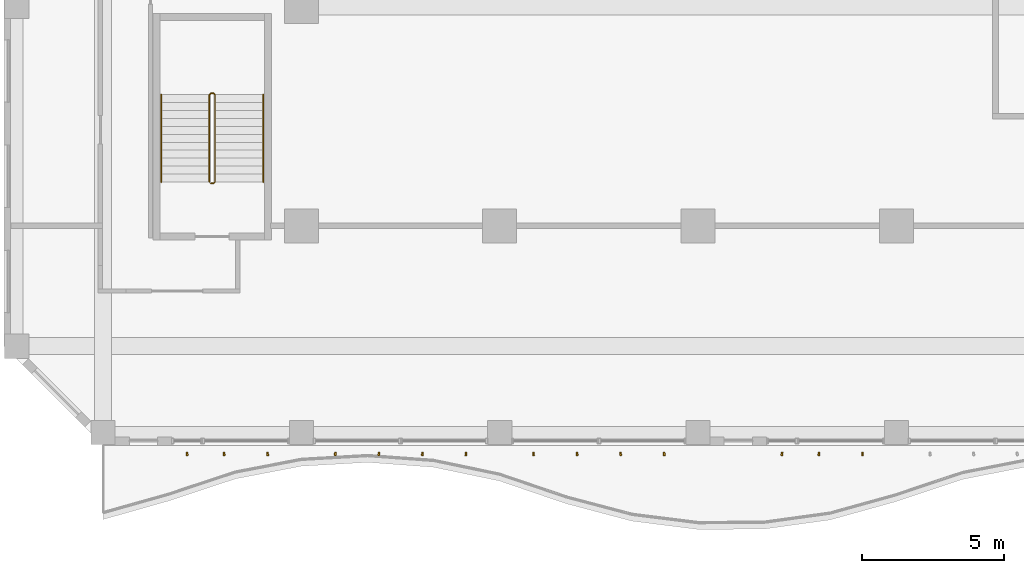
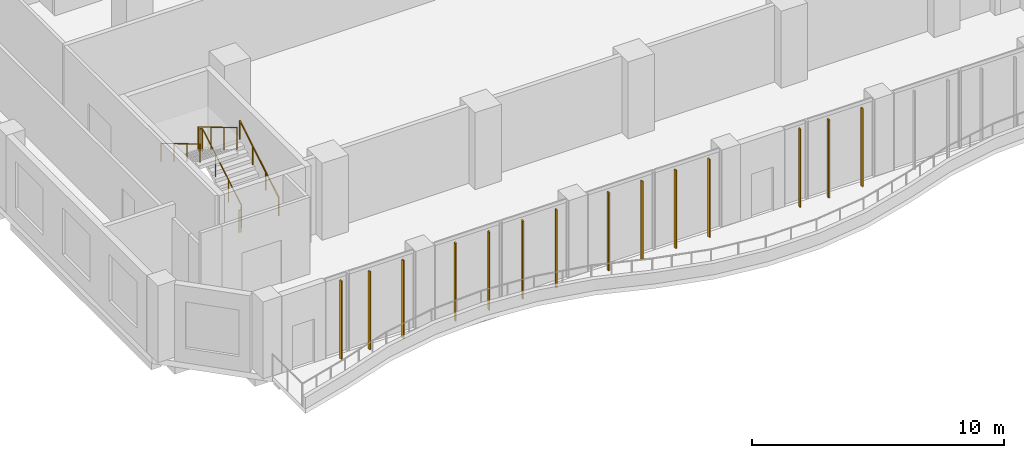
# One storey, part 20 of 27: 14 shading devices, 3 railings.
"""IFC4 building model written with IfcOpenShell, lengths in metres."""

from ifc_helpers import new_model, si_unit, direction, frame, origin, origin_2d, place, context, subcontext, project, spatial, rectangle, circle, extrude, source, transform, mapped, material, material_profile, profile_set, type_object, element, save


model = new_model("IFC4")

# Units and contexts
model_context = context("Model", 3, precision=1e-05, world=origin(), true_north=direction((0.0, 1.0)))
body_context = subcontext(model_context, "Body", "Model", "MODEL_VIEW")
ifc_project = project(units=[si_unit("LENGTHUNIT", "METRE"), si_unit("AREAUNIT", "SQUARE_METRE"), si_unit("VOLUMEUNIT", "CUBIC_METRE"), si_unit("PLANEANGLEUNIT", "RADIAN"), si_unit("MASSUNIT", "GRAM", prefix="KILO")], contexts=[model_context])

# Site, building, storey
site_placement = place(None, origin())
site = spatial("IfcSite", under=ifc_project, at=site_placement, CompositionType="ELEMENT")
building_placement = place(site_placement, origin())
building = spatial("IfcBuilding", under=site, at=building_placement, Name="Kilnfold Tower and Market Hall", CompositionType="ELEMENT")
storey_placement = place(building_placement, frame((0.0, 0.0, 116.60009765625)))
storey = spatial("IfcBuildingStorey", under=building, at=storey_placement, Name="L27", CompositionType="ELEMENT", Elevation=116.60009765625)

# Railings
ifc_material_1 = material(Name="Stainless steel 316", Category="steel")
railing_type_1 = type_object("IfcRailingType", Name="CORE STAIR GUARD 1100", PredefinedType="GUARDRAIL", material=ifc_material_1)
railing_1_placement = place(storey_placement, frame((-15.699951171875, -13.75, 0.0)))
element("IfcRailing", 1, at=railing_1_placement, inside=storey, type_object=railing_type_1, Name="L27 ST3 stair guard 1", PredefinedType="GUARDRAIL", context=body_context, shape_type="SweptSolid", body=[
    extrude(circle(Radius=0.02392578125, at=origin_2d()), frame((0.0, 0.0, 1.076171875), z_axis=(1.0, 0.0, 0.0), x_axis=(0.0, 1.0, 0.0)), (0.0, 0.0, 1.0), 0.099853515625),
    extrude(circle(Radius=0.02392578125, at=origin_2d()), frame((0.099853515625, 0.0, 1.076171875), z_axis=(0.27662974545, 0.27662974545, 0.920299933644), x_axis=(-0.707106781187, 0.707106781187, 0.0)), (0.0, 0.0, 1.0), 0.180908203125),
    extrude(circle(Radius=0.02392578125, at=origin_2d()), frame((0.14990234375, 0.050048828125, 1.24267578125), z_axis=(0.0, 0.859260807169, 0.511537745687), x_axis=(-1.0, 0.0, 0.0)), (0.0, 0.0, 1.0), 3.584228515625),
    extrude(circle(Radius=0.02392578125, at=origin_2d()), frame((0.14990234375, 3.1298828125, 3.076171875), z_axis=(-0.707106781187, 0.707106781187, 0.0), x_axis=(-0.707106781187, -0.707106781187, 0.0)), (0.0, 0.0, 1.0), 0.07080078125),
    extrude(circle(Radius=0.02392578125, at=origin_2d()), frame((0.099853515625, 3.179931640625, 3.076171875), z_axis=(-1.0, 0.0, 0.0), x_axis=(0.0, -1.0, 0.0)), (0.0, 0.0, 1.0), 0.099853515625),
    extrude(circle(Radius=0.02392578125, at=origin_2d()), frame((0.0, 3.179931640625, 3.076171875), z_axis=(-0.27662974545, -0.27662974545, 0.920299933644), x_axis=(0.707106781187, -0.707106781187, 0.0)), (0.0, 0.0, 1.0), 0.180908203125),
    extrude(circle(Radius=0.02392578125, at=origin_2d()), frame((-0.050048828125, 3.1298828125, 3.24267578125), z_axis=(0.0, -0.859260807169, 0.511537745687), x_axis=(1.0, 0.0, 0.0)), (0.0, 0.0, 1.0), 3.584228515625),
    extrude(circle(Radius=0.02099609375, at=origin_2d()), origin(), (0.0, 0.0, 1.0), 1.052001953125),
    extrude(circle(Radius=0.02099609375, at=origin_2d()), frame((0.099853515625, 0.0, 0.0)), (0.0, 0.0, 1.0), 1.052001953125),
    extrude(circle(Radius=0.02099609375, at=origin_2d()), frame((0.14990234375, 0.050048828125, 0.16650390625)), (0.0, 0.0, 1.0), 1.052001953125),
    extrude(circle(Radius=0.02099609375, at=origin_2d()), frame((0.14990234375, 1.07666015625, 0.777587890625)), (0.0, 0.0, 1.0), 1.052001953125),
    extrude(circle(Radius=0.02099609375, at=origin_2d()), frame((0.14990234375, 2.103271484375, 1.388916015625)), (0.0, 0.0, 1.0), 1.052001953125),
    extrude(circle(Radius=0.02099609375, at=origin_2d()), frame((0.14990234375, 3.1298828125, 2.0)), (0.0, 0.0, 1.0), 1.052001953125),
    extrude(circle(Radius=0.02099609375, at=origin_2d()), frame((0.099853515625, 3.179931640625, 2.0)), (0.0, 0.0, 1.0), 1.052001953125),
    extrude(circle(Radius=0.02099609375, at=origin_2d()), frame((0.0, 3.179931640625, 2.0)), (0.0, 0.0, 1.0), 1.052001953125),
    extrude(circle(Radius=0.02099609375, at=origin_2d()), frame((-0.050048828125, 3.1298828125, 2.16650390625)), (0.0, 0.0, 1.0), 1.052001953125),
    extrude(circle(Radius=0.02099609375, at=origin_2d()), frame((-0.050048828125, 2.103271484375, 2.777587890625)), (0.0, 0.0, 1.0), 1.052001953125),
    extrude(circle(Radius=0.02099609375, at=origin_2d()), frame((-0.050048828125, 1.07666015625, 3.388916015625)), (0.0, 0.0, 1.0), 1.052001953125),
    extrude(circle(Radius=0.02099609375, at=origin_2d()), frame((-0.050048828125, 0.050048828125, 4.0)), (0.0, 0.0, 1.0), 1.052001953125),
])
ifc_material_2 = material(Name="Stainless steel 316", Category="steel")
railing_type_2 = type_object("IfcRailingType", Name="CORE STAIR HANDRAIL 900", PredefinedType="HANDRAIL", material=ifc_material_2)
railing_2_placement = place(storey_placement, frame((-13.85009765625, -13.699951171875, 0.16650390625)))
element("IfcRailing", 2, at=railing_2_placement, inside=storey, type_object=railing_type_2, Name="L27 ST3 stair handrail 1", PredefinedType="HANDRAIL", context=body_context, shape_type="SweptSolid", body=[
    extrude(circle(Radius=0.02392578125, at=origin_2d()), frame((0.0, 0.0, 0.8759765625), z_axis=(0.0, 0.859260807169, 0.511537745687), x_axis=(-1.0, 0.0, 0.0)), (0.0, 0.0, 1.0), 3.584228515625),
    extrude(circle(Radius=0.02099609375, at=origin_2d()), origin(), (0.0, 0.0, 1.0), 0.851806640625),
    extrude(circle(Radius=0.02099609375, at=origin_2d()), frame((0.0, 1.026611328125, 0.611083984375)), (0.0, 0.0, 1.0), 0.851806640625),
    extrude(circle(Radius=0.02099609375, at=origin_2d()), frame((0.0, 2.05322265625, 1.222412109375)), (0.0, 0.0, 1.0), 0.851806640625),
    extrude(circle(Radius=0.02099609375, at=origin_2d()), frame((0.0, 3.079833984375, 1.83349609375)), (0.0, 0.0, 1.0), 0.851806640625),
])
railing_3_placement = place(storey_placement, frame((-17.449951171875, -10.6201171875, 2.16650390625)))
element("IfcRailing", 3, at=railing_3_placement, inside=storey, type_object=railing_type_2, Name="L27 ST3 stair handrail 2", PredefinedType="HANDRAIL", context=body_context, shape_type="SweptSolid", body=[
    extrude(circle(Radius=0.02392578125, at=origin_2d()), frame((0.0, 0.0, 0.8759765625), z_axis=(0.0, -0.859260807169, 0.511537745687), x_axis=(1.0, 0.0, 0.0)), (0.0, 0.0, 1.0), 3.584228515625),
    extrude(circle(Radius=0.02099609375, at=origin_2d()), origin(), (0.0, 0.0, 1.0), 0.851806640625),
    extrude(circle(Radius=0.02099609375, at=origin_2d()), frame((0.0, -1.026611328125, 0.611083984375)), (0.0, 0.0, 1.0), 0.851806640625),
    extrude(circle(Radius=0.02099609375, at=origin_2d()), frame((0.0, -2.05322265625, 1.222412109375)), (0.0, 0.0, 1.0), 0.851806640625),
    extrude(circle(Radius=0.02099609375, at=origin_2d()), frame((0.0, -3.079833984375, 1.83349609375)), (0.0, 0.0, 1.0), 0.851806640625),
])

# Shading devices
ifc_material_3 = material(Name="Terracotta", Category="masonry")
ifc_material_profile = material_profile(ifc_material_3, rectangle(XDim=0.06005859375, YDim=0.1201171875, at=origin_2d()), Name="BAG 60x120")
ifc_profile_set = profile_set([ifc_material_profile], Name="Terracotta")
shading_device_type = type_object("IfcShadingDeviceType", Name="BAGUETTE", PredefinedType="USERDEFINED", material=ifc_profile_set)
shared_shape = source(origin(), body_context, "Body", "SweptSolid", [
    extrude(rectangle(XDim=0.06005859375, YDim=0.1201171875, at=origin_2d()), origin(), (0.0, 0.0, 1.0), 3.77978515625),
])
for number, where, z_axis, x_axis, name in (
    (4, (-16.53759765625, -23.300048828125, 0.0), (0.0, 0.0, 1.0), (0.990442658343, 0.137925126549, 0.0), "Terracotta baguette L27 S"),
    (5, (-15.231201171875, -23.300048828125, 0.0), (0.0, 0.0, 1.0), (0.992120825067, 0.125284749544, 0.0), "Terracotta baguette L27 S"),
    (6, (-13.693603515625, -23.300048828125, 0.0), (0.0, 0.0, 1.0), (0.998314275476, 0.05803970521, 0.0), "Terracotta baguette L27 S"),
    (7, (-11.306396484375, -23.300048828125, 0.0), (0.0, 0.0, 1.0), (0.996501616509, -0.083573490385, 0.0), "Terracotta baguette L27 S"),
    (8, (-9.768798828125, -23.300048828125, 0.0), (0.0, 0.0, 1.0), (0.990809088149, -0.135267700656, 0.0), "Terracotta baguette L27 S"),
    (9, (-8.231201171875, -23.300048828125, 0.0), (0.0, 0.0, 1.0), (0.992120825067, -0.125284749544, 0.0), "Terracotta baguette L27 S"),
    (10, (-6.69384765625, -23.300048828125, 0.0), (0.0, 0.0, 1.0), (0.998314275476, -0.05803970521, 0.0), "Terracotta baguette L27 S"),
    (11, (-4.30615234375, -23.300048828125, 0.0), (0.0, 0.0, 1.0), (0.996501616509, 0.083573490385, 0.0), "Terracotta baguette L27 S"),
    (12, (-2.768798828125, -23.300048828125, 0.0), (0.0, 0.0, 1.0), (0.990809088149, 0.135267700656, 0.0), "Terracotta baguette L27 S"),
    (13, (-1.231201171875, -23.300048828125, 0.0), (0.0, 0.0, 1.0), (0.992120825067, 0.125284749544, 0.0), "Terracotta baguette L27 S"),
    (14, (0.30615234375, -23.300048828125, 0.0), (0.0, 0.0, 1.0), (0.998314275476, 0.05803970521, 0.0), "Terracotta baguette L27 S"),
    (15, (4.46240234375, -23.300048828125, 0.0), (0.0, 0.0, 1.0), (0.990442658343, -0.137925126549, 0.0), "Terracotta baguette L27 S"),
    (16, (5.768798828125, -23.300048828125, 0.0), (0.0, 0.0, 1.0), (0.992120825067, -0.125284749544, 0.0), "Terracotta baguette L27 S"),
    (17, (7.30615234375, -23.300048828125, 0.0), (0.0, 0.0, 1.0), (0.998314275476, -0.05803970521, 0.0), "Terracotta baguette L27 S"),
):
    element("IfcShadingDevice", number, at=place(storey_placement, frame(where, z_axis=z_axis, x_axis=x_axis)), inside=storey, type_object=shading_device_type, Name=name, ObjectType="BAGUETTE", PredefinedType="USERDEFINED", context=body_context, shape_type="MappedRepresentation", body=[
        mapped(shared_shape, transform((0.0, 0.0, 0.0))),
    ])

save(model, "model.ifc")
